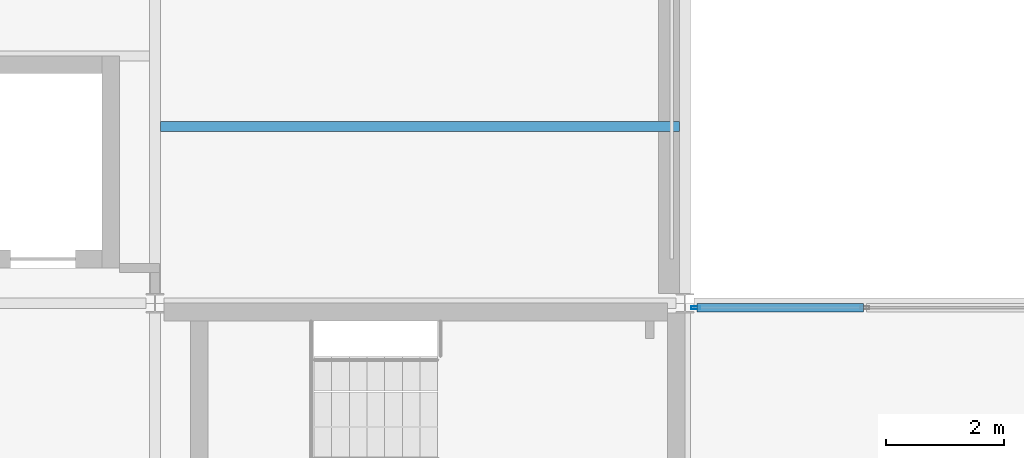
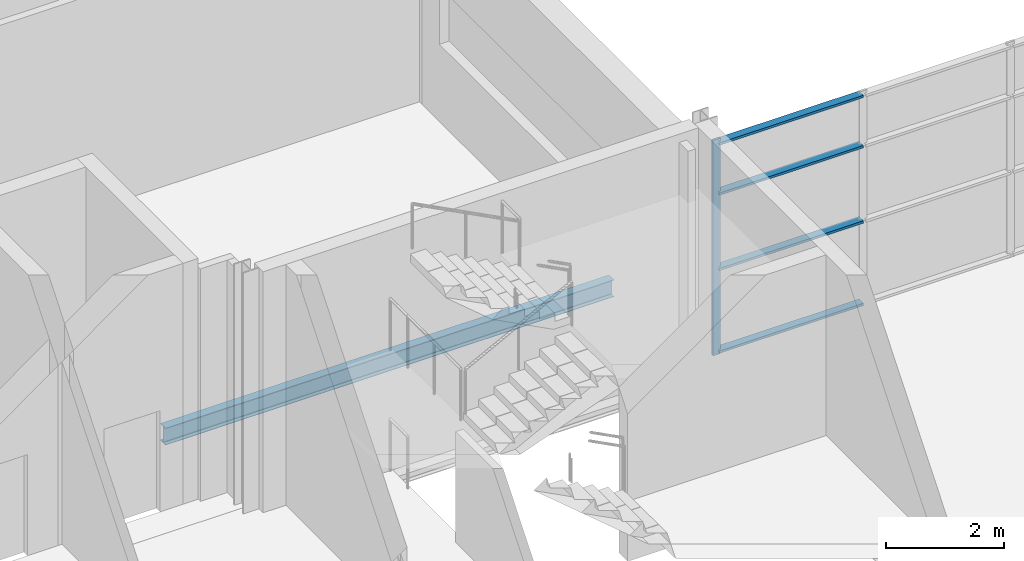
# One storey, part 57 of 112: 5 members, 1 beam, 1 element without a shape of its own.
"""IFC4 building model written with IfcOpenShell, lengths in metres."""

from ifc_helpers import new_model, si_unit, direction, frame, origin, origin_2d, place, context, subcontext, project, spatial, hollow_rectangle, i_section, extrude, material, layer, layer_set, material_profile, profile_set, type_object, element, aggregate, save


model = new_model("IFC4")

# Units and contexts
model_context = context("Model", 3, precision=1e-05, world=origin(), true_north=direction((0.0, 1.0)))
body_context = subcontext(model_context, "Body", "Model", "MODEL_VIEW")
ifc_project = project(units=[si_unit("LENGTHUNIT", "METRE"), si_unit("AREAUNIT", "SQUARE_METRE"), si_unit("VOLUMEUNIT", "CUBIC_METRE"), si_unit("PLANEANGLEUNIT", "RADIAN"), si_unit("MASSUNIT", "GRAM", prefix="KILO")], contexts=[model_context])

# Site, building, storey
site_placement = place(None, origin())
site = spatial("IfcSite", under=ifc_project, at=site_placement, CompositionType="ELEMENT")
building_placement = place(site_placement, origin())
building = spatial("IfcBuilding", under=site, at=building_placement, Name="Shorebreak Coast Museum", CompositionType="ELEMENT")
storey_placement = place(building_placement, frame((0.0, 0.0, 6.0)))
storey = spatial("IfcBuildingStorey", under=building, at=storey_placement, Name="L01", CompositionType="ELEMENT", Elevation=6.0)

# Beam
ifc_material_1 = material(Name="Steel Grade 300", Category="steel")
ifc_material_profile_1 = material_profile(ifc_material_1, i_section(OverallWidth=0.1708984375, OverallDepth=0.35205078125, WebThickness=0.0068359375, FlangeThickness=0.009765625, FilletRadius=0.011474609375, at=origin_2d()), Name="360UB44.7")
ifc_profile_set_1 = profile_set([ifc_material_profile_1], Name="Steel Grade 300")
beam_type = type_object("IfcBeamType", Name="Floor joist 360UB44.7", PredefinedType="JOIST", material=ifc_profile_set_1)
beam_placement = place(storey_placement, frame((108.095458984375, 93.0, -0.35107421875), z_axis=(1.0, 0.0, 0.0), x_axis=(0.0, 1.0, 0.0)))
element("IfcBeam", 1, at=beam_placement, inside=storey, type_object=beam_type, Name="Floor joist L01 bay 13L at 3000 mm", PredefinedType="JOIST", context=body_context, shape_type="SweptSolid", body=[
    extrude(i_section(OverallWidth=0.1708984375, OverallDepth=0.35205078125, WebThickness=0.0068359375, FlangeThickness=0.009765625, FilletRadius=0.011474609375, at=origin_2d()), origin(), (0.0, 0.0, 1.0), 8.80908203125),
])

# Curtain wall, members
ifc_material_2 = material(Name="Aluminium", Category="aluminium")
ifc_layer = layer(ifc_material_2, 0.14990234375)
ifc_layer_set = layer_set([ifc_layer], Name="Aluminium")
curtain_wall_type = type_object("IfcCurtainWallType", Name="Storefront curtain wall", PredefinedType="NOTDEFINED", material=ifc_layer_set)
curtain_wall_placement = place(storey_placement, origin())
curtain_wall = element("IfcCurtainWall", 2, at=curtain_wall_placement, inside=storey, type_object=curtain_wall_type, Name="Storefront L01 N 13", PredefinedType="NOTDEFINED")
ifc_material_3 = material(Name="Aluminium", Category="aluminium")
ifc_material_profile_2 = material_profile(ifc_material_3, hollow_rectangle(XDim=0.050048828125, YDim=0.14990234375, WallThickness=0.00390625, at=origin_2d()), Name="AL 150x50 RHS")
ifc_profile_set_2 = profile_set([ifc_material_profile_2], Name="Aluminium")
member_type_1 = type_object("IfcMemberType", Name="Storefront mullion 50 x 150", PredefinedType="MULLION", material=ifc_profile_set_2)
member_1_placement = place(storey_placement, frame((117.180419921875, 89.925048828125, 0.0), z_axis=(0.0, 0.0, 1.0), x_axis=(0.0, 1.0, 0.0)))
member_1 = element("IfcMember", 3, at=member_1_placement, type_object=member_type_1, Name="CW8 mullion 1", PredefinedType="MULLION", context=body_context, shape_type="SweptSolid", body=[
    extrude(hollow_rectangle(XDim=0.050048828125, YDim=0.14990234375, WallThickness=0.00390625, at=origin_2d()), origin(), (0.0, 0.0, 1.0), 4.469482421875),
])
ifc_material_4 = material(Name="Aluminium", Category="aluminium")
ifc_material_profile_3 = material_profile(ifc_material_4, hollow_rectangle(XDim=0.14990234375, YDim=0.050048828125, WallThickness=0.00390625, at=origin_2d()), Name="AL 50x150 RHS")
ifc_profile_set_3 = profile_set([ifc_material_profile_3], Name="Aluminium")
member_type_2 = type_object("IfcMemberType", Name="Storefront transom 150 x 50", PredefinedType="USERDEFINED", material=ifc_profile_set_3)
member_2_placement = place(storey_placement, frame((117.20556640625, 89.925048828125, 0.074951171875), z_axis=(1.0, 0.0, 0.0), x_axis=(0.0, 1.0, 0.0)))
member_2 = element("IfcMember", 4, at=member_2_placement, type_object=member_type_2, Name="CW8 transom 1.1", ObjectType="TRANSOM", PredefinedType="USERDEFINED", context=body_context, shape_type="SweptSolid", body=[
    extrude(hollow_rectangle(XDim=0.14990234375, YDim=0.050048828125, WallThickness=0.00390625, at=origin_2d()), origin(), (0.0, 0.0, 1.0), 2.822998046875),
])
member_3_placement = place(storey_placement, frame((117.20556640625, 89.925048828125, 1.787841796875), z_axis=(1.0, 0.0, 0.0), x_axis=(0.0, 1.0, 0.0)))
member_3 = element("IfcMember", 5, at=member_3_placement, type_object=member_type_2, Name="CW8 transom 1.2", ObjectType="TRANSOM", PredefinedType="USERDEFINED", context=body_context, shape_type="SweptSolid", body=[
    extrude(hollow_rectangle(XDim=0.14990234375, YDim=0.050048828125, WallThickness=0.00390625, at=origin_2d()), origin(), (0.0, 0.0, 1.0), 2.822998046875),
])
member_4_placement = place(storey_placement, frame((117.20556640625, 89.925048828125, 3.35205078125), z_axis=(1.0, 0.0, 0.0), x_axis=(0.0, 1.0, 0.0)))
member_4 = element("IfcMember", 6, at=member_4_placement, type_object=member_type_2, Name="CW8 transom 1.3", ObjectType="TRANSOM", PredefinedType="USERDEFINED", context=body_context, shape_type="SweptSolid", body=[
    extrude(hollow_rectangle(XDim=0.14990234375, YDim=0.050048828125, WallThickness=0.00390625, at=origin_2d()), origin(), (0.0, 0.0, 1.0), 2.822998046875),
])
member_5_placement = place(storey_placement, frame((117.20556640625, 89.925048828125, 4.394287109375), z_axis=(1.0, 0.0, 0.0), x_axis=(0.0, 1.0, 0.0)))
member_5 = element("IfcMember", 7, at=member_5_placement, type_object=member_type_2, Name="CW8 transom 1.4", ObjectType="TRANSOM", PredefinedType="USERDEFINED", context=body_context, shape_type="SweptSolid", body=[
    extrude(hollow_rectangle(XDim=0.14990234375, YDim=0.050048828125, WallThickness=0.00390625, at=origin_2d()), origin(), (0.0, 0.0, 1.0), 2.822998046875),
])
aggregate(curtain_wall, [member_1, member_2, member_3, member_4, member_5])

save(model, "model.ifc")
